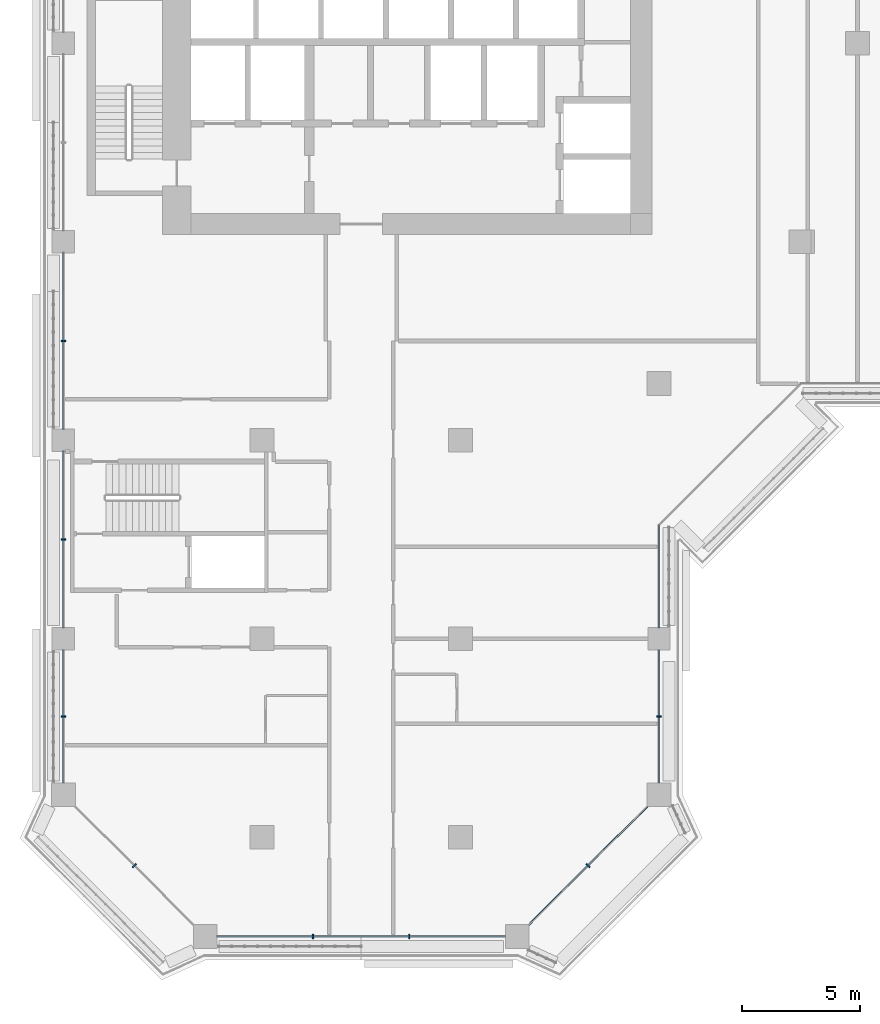
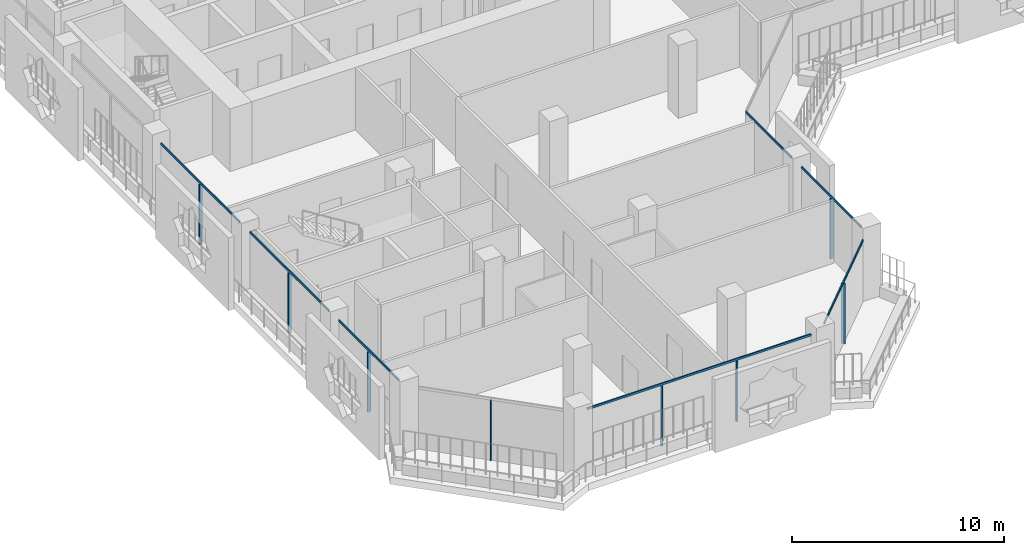
# One storey, part 2 of 22: 15 members, 5 elements without a shape of their own.
"""IFC4 building model written with IfcOpenShell, lengths in metres."""

from ifc_helpers import new_model, si_unit, direction, frame, origin, origin_2d, place, context, subcontext, project, spatial, rectangle, extrude, material, layer, layer_set, material_profile, profile_set, type_object, element, aggregate, save


model = new_model("IFC4")

# Units and contexts
model_context = context("Model", 3, precision=1e-05, world=origin(), true_north=direction((0.0, 1.0)))
body_context = subcontext(model_context, "Body", "Model", "MODEL_VIEW")
ifc_project = project(units=[si_unit("LENGTHUNIT", "METRE"), si_unit("AREAUNIT", "SQUARE_METRE"), si_unit("VOLUMEUNIT", "CUBIC_METRE"), si_unit("PLANEANGLEUNIT", "RADIAN"), si_unit("MASSUNIT", "GRAM", prefix="KILO")], contexts=[model_context])

# Site, building, storey
site_placement = place(None, origin())
site = spatial("IfcSite", under=ifc_project, at=site_placement, CompositionType="ELEMENT")
building_placement = place(site_placement, origin())
building = spatial("IfcBuilding", under=site, at=building_placement, Name="Kawkab Arch Medical Tower", CompositionType="ELEMENT")
storey_placement = place(building_placement, frame((0.0, 0.0, 196.199951171875)))
storey = spatial("IfcBuildingStorey", under=building, at=storey_placement, Name="L45", CompositionType="ELEMENT", Elevation=196.199951171875)

# Curtain wall, members
ifc_material_1 = material(Name="Bronze anodised aluminium curtain wall frame", Category="aluminium")
ifc_layer_1 = layer(ifc_material_1, 0.159912109375)
ifc_layer_set_1 = layer_set([ifc_layer_1], Name="Bronze anodised aluminium curtain wall frame")
curtain_wall_type_1 = type_object("IfcCurtainWallType", Name="CW1 ward curtain wall", PredefinedType="NOTDEFINED", material=ifc_layer_set_1)
placement = place(storey_placement, origin())
curtain_wall_1 = element("IfcCurtainWall", 1, at=placement, inside=storey, type_object=curtain_wall_type_1, Name="CW1 Ward curtain wall R01", PredefinedType="NOTDEFINED")
ifc_material_2 = material(Name="Bronze anodised aluminium curtain wall frame", Category="aluminium")
ifc_material_profile_1 = material_profile(ifc_material_2, rectangle(XDim=0.179931640625, YDim=0.06005859375, at=origin_2d()), Name="AL 60x180")
ifc_profile_set_1 = profile_set([ifc_material_profile_1], Name="Bronze anodised aluminium curtain wall frame")
member_type_1 = type_object("IfcMemberType", Name="CW1 mullion 60 x 180", PredefinedType="MULLION", material=ifc_profile_set_1)
member_1_placement = place(storey_placement, frame((0.0, -29.39990234375, 0.0), z_axis=(0.0, 0.0, 1.0), x_axis=(1.0, 0.0, 0.0)))
member_1 = element("IfcMember", 2, at=member_1_placement, type_object=member_type_1, Name="CW1 mullion 3.1", PredefinedType="MULLION", context=body_context, shape_type="SweptSolid", body=[
    extrude(rectangle(XDim=0.179931640625, YDim=0.06005859375, at=origin_2d()), origin(), (0.0, 0.0, 1.0), 3.47998046875),
])
member_2_placement = place(storey_placement, frame((0.0, -37.800048828125, 0.0), z_axis=(0.0, 0.0, 1.0), x_axis=(1.0, 0.0, 0.0)))
member_2 = element("IfcMember", 3, at=member_2_placement, type_object=member_type_1, Name="CW1 mullion 4.1", PredefinedType="MULLION", context=body_context, shape_type="SweptSolid", body=[
    extrude(rectangle(XDim=0.179931640625, YDim=0.06005859375, at=origin_2d()), origin(), (0.0, 0.0, 1.0), 3.47998046875),
])
member_3_placement = place(storey_placement, frame((0.0, -45.28759765625, 0.0), z_axis=(0.0, 0.0, 1.0), x_axis=(1.0, 0.0, 0.0)))
member_3 = element("IfcMember", 4, at=member_3_placement, type_object=member_type_1, Name="CW1 mullion 5.1", PredefinedType="MULLION", context=body_context, shape_type="SweptSolid", body=[
    extrude(rectangle(XDim=0.179931640625, YDim=0.06005859375, at=origin_2d()), origin(), (0.0, 0.0, 1.0), 3.47998046875),
])

curtain_wall_2 = element("IfcCurtainWall", 5, at=placement, inside=storey, type_object=curtain_wall_type_1, Name="CW1 Ward curtain wall R03", PredefinedType="NOTDEFINED")
member_4_placement = place(storey_placement, frame((10.566650390625, -54.60009765625, 0.0), z_axis=(0.0, 0.0, 1.0), x_axis=(0.0, 1.0, 0.0)))
member_4 = element("IfcMember", 6, at=member_4_placement, type_object=member_type_1, Name="CW1 mullion 1.1", PredefinedType="MULLION", context=body_context, shape_type="SweptSolid", body=[
    extrude(rectangle(XDim=0.179931640625, YDim=0.06005859375, at=origin_2d()), origin(), (0.0, 0.0, 1.0), 3.47998046875),
])
member_5_placement = place(storey_placement, frame((14.63330078125, -54.60009765625, 0.0), z_axis=(0.0, 0.0, 1.0), x_axis=(0.0, 1.0, 0.0)))
member_5 = element("IfcMember", 7, at=member_5_placement, type_object=member_type_1, Name="CW1 mullion 1.2", PredefinedType="MULLION", context=body_context, shape_type="SweptSolid", body=[
    extrude(rectangle(XDim=0.179931640625, YDim=0.06005859375, at=origin_2d()), origin(), (0.0, 0.0, 1.0), 3.47998046875),
])

# Curtain wall, member
curtain_wall_3 = element("IfcCurtainWall", 8, at=placement, inside=storey, type_object=curtain_wall_type_1, Name="CW1 Ward curtain wall R05", PredefinedType="NOTDEFINED")
member_6_placement = place(storey_placement, frame((25.199951171875, -45.28759765625, 0.0), z_axis=(0.0, 0.0, 1.0), x_axis=(-1.0, 0.0, 0.0)))
member_6 = element("IfcMember", 9, at=member_6_placement, type_object=member_type_1, Name="CW1 mullion 1.1", PredefinedType="MULLION", context=body_context, shape_type="SweptSolid", body=[
    extrude(rectangle(XDim=0.179931640625, YDim=0.06005859375, at=origin_2d()), origin(), (0.0, 0.0, 1.0), 3.47998046875),
])

# Member
ifc_material_3 = material(Name="Bronze anodised aluminium curtain wall frame", Category="aluminium")
ifc_material_profile_2 = material_profile(ifc_material_3, rectangle(XDim=0.06005859375, YDim=0.1201171875, at=origin_2d()), Name="AL 60x120")
ifc_profile_set_2 = profile_set([ifc_material_profile_2], Name="Bronze anodised aluminium curtain wall frame")
member_type_2 = type_object("IfcMemberType", Name="CW1 transom 120 x 60", PredefinedType="USERDEFINED", material=ifc_profile_set_2)
member_7_placement = place(storey_placement, frame((0.0, -25.675048828125, 3.5400390625), z_axis=(0.0, -1.0, 0.0), x_axis=(1.0, 0.0, 0.0)))
member_7 = element("IfcMember", 10, at=member_7_placement, type_object=member_type_2, Name="CW1 transom 3", ObjectType="TRANSOM", PredefinedType="USERDEFINED", context=body_context, shape_type="SweptSolid", body=[
    extrude(rectangle(XDim=0.06005859375, YDim=0.1201171875, at=origin_2d()), origin(), (0.0, 0.0, 1.0), 7.449951171875),
])

member_8_placement = place(storey_placement, frame((0.0, -34.074951171875, 3.5400390625), z_axis=(0.0, -1.0, 0.0), x_axis=(1.0, 0.0, 0.0)))
member_8 = element("IfcMember", 11, at=member_8_placement, type_object=member_type_2, Name="CW1 transom 4", ObjectType="TRANSOM", PredefinedType="USERDEFINED", context=body_context, shape_type="SweptSolid", body=[
    extrude(rectangle(XDim=0.06005859375, YDim=0.1201171875, at=origin_2d()), origin(), (0.0, 0.0, 1.0), 7.449951171875),
])

member_9_placement = place(storey_placement, frame((0.0, -42.47509765625, 3.5400390625), z_axis=(0.0, -1.0, 0.0), x_axis=(1.0, 0.0, 0.0)))
member_9 = element("IfcMember", 12, at=member_9_placement, type_object=member_type_2, Name="CW1 transom 5", ObjectType="TRANSOM", PredefinedType="USERDEFINED", context=body_context, shape_type="SweptSolid", body=[
    extrude(rectangle(XDim=0.06005859375, YDim=0.1201171875, at=origin_2d()), origin(), (0.0, 0.0, 1.0), 5.625),
])

aggregate(curtain_wall_1, [member_7, member_1, member_8, member_2, member_9, member_3])

member_10_placement = place(storey_placement, frame((6.5, -54.60009765625, 3.5400390625), z_axis=(1.0, 0.0, 0.0), x_axis=(0.0, 1.0, 0.0)))
member_10 = element("IfcMember", 13, at=member_10_placement, type_object=member_type_2, Name="CW1 transom 1", ObjectType="TRANSOM", PredefinedType="USERDEFINED", context=body_context, shape_type="SweptSolid", body=[
    extrude(rectangle(XDim=0.06005859375, YDim=0.1201171875, at=origin_2d()), origin(), (0.0, 0.0, 1.0), 12.199951171875),
])

aggregate(curtain_wall_2, [member_10, member_4, member_5])

member_11_placement = place(storey_placement, frame((25.199951171875, -48.10009765625, 3.5400390625), z_axis=(0.0, 1.0, 0.0), x_axis=(-1.0, 0.0, 0.0)))
member_11 = element("IfcMember", 14, at=member_11_placement, type_object=member_type_2, Name="CW1 transom 1", ObjectType="TRANSOM", PredefinedType="USERDEFINED", context=body_context, shape_type="SweptSolid", body=[
    extrude(rectangle(XDim=0.06005859375, YDim=0.1201171875, at=origin_2d()), origin(), (0.0, 0.0, 1.0), 5.625),
])

member_12_placement = place(storey_placement, frame((25.199951171875, -41.52490234375, 3.5400390625), z_axis=(0.0, 1.0, 0.0), x_axis=(-1.0, 0.0, 0.0)))
member_12 = element("IfcMember", 15, at=member_12_placement, type_object=member_type_2, Name="CW1 transom 2", ObjectType="TRANSOM", PredefinedType="USERDEFINED", context=body_context, shape_type="SweptSolid", body=[
    extrude(rectangle(XDim=0.06005859375, YDim=0.1201171875, at=origin_2d()), origin(), (0.0, 0.0, 1.0), 4.324951171875),
])

aggregate(curtain_wall_3, [member_11, member_6, member_12])

# Curtain wall, member
ifc_material_4 = material(Name="Bronze anodised aluminium curtain wall frame", Category="aluminium")
ifc_layer_2 = layer(ifc_material_4, 0.159912109375)
ifc_layer_set_2 = layer_set([ifc_layer_2], Name="Bronze anodised aluminium curtain wall frame")
curtain_wall_type_2 = type_object("IfcCurtainWallType", Name="CW2 chamfer curtain wall", PredefinedType="NOTDEFINED", material=ifc_layer_set_2)
curtain_wall_4 = element("IfcCurtainWall", 16, at=placement, inside=storey, type_object=curtain_wall_type_2, Name="CW2 Chamfer curtain wall R02", PredefinedType="NOTDEFINED")
ifc_material_5 = material(Name="Bronze anodised aluminium curtain wall frame", Category="aluminium")
ifc_material_profile_3 = material_profile(ifc_material_5, rectangle(XDim=0.199951171875, YDim=0.06005859375, at=origin_2d()), Name="AL 60x200")
ifc_profile_set_3 = profile_set([ifc_material_profile_3], Name="Bronze anodised aluminium curtain wall frame")
member_type_3 = type_object("IfcMemberType", Name="CW2 mullion 60 x 200", PredefinedType="MULLION", material=ifc_profile_set_3)
member_13_placement = place(storey_placement, frame((3.0, -51.60009765625, 0.0), z_axis=(0.0, 0.0, 1.0), x_axis=(0.707106781187, 0.707106781187, 0.0)))
member_13 = element("IfcMember", 17, at=member_13_placement, type_object=member_type_3, Name="CW2 mullion 1.1", PredefinedType="MULLION", context=body_context, shape_type="SweptSolid", body=[
    extrude(rectangle(XDim=0.199951171875, YDim=0.06005859375, at=origin_2d()), origin(), (0.0, 0.0, 1.0), 3.4599609375),
])
aggregate(curtain_wall_4, [member_13])

# Curtain wall, members
curtain_wall_5 = element("IfcCurtainWall", 18, at=placement, inside=storey, type_object=curtain_wall_type_2, Name="CW2 Chamfer curtain wall R04", PredefinedType="NOTDEFINED")
member_14_placement = place(storey_placement, frame((22.199951171875, -51.60009765625, 0.0), z_axis=(0.0, 0.0, 1.0), x_axis=(-0.707106781187, 0.707106781187, 0.0)))
member_14 = element("IfcMember", 19, at=member_14_placement, type_object=member_type_3, Name="CW2 mullion 1.1", PredefinedType="MULLION", context=body_context, shape_type="SweptSolid", body=[
    extrude(rectangle(XDim=0.199951171875, YDim=0.06005859375, at=origin_2d()), origin(), (0.0, 0.0, 1.0), 3.4599609375),
])
ifc_material_6 = material(Name="Bronze anodised aluminium curtain wall frame", Category="aluminium")
ifc_material_profile_4 = material_profile(ifc_material_6, rectangle(XDim=0.06005859375, YDim=0.139892578125, at=origin_2d()), Name="AL 60x140")
ifc_profile_set_4 = profile_set([ifc_material_profile_4], Name="Bronze anodised aluminium curtain wall frame")
member_type_4 = type_object("IfcMemberType", Name="CW2 transom 140 x 60", PredefinedType="USERDEFINED", material=ifc_profile_set_4)
member_15_placement = place(storey_placement, frame((19.699951171875, -54.10009765625, 3.530029296875), z_axis=(0.707106781187, 0.707106781187, 0.0), x_axis=(-0.707106781187, 0.707106781187, 0.0)))
member_15 = element("IfcMember", 20, at=member_15_placement, type_object=member_type_4, Name="CW2 transom 1", ObjectType="TRANSOM", PredefinedType="USERDEFINED", context=body_context, shape_type="SweptSolid", body=[
    extrude(rectangle(XDim=0.06005859375, YDim=0.139892578125, at=origin_2d()), origin(), (0.0, 0.0, 1.0), 7.071044921875),
])
aggregate(curtain_wall_5, [member_15, member_14])

save(model, "model.ifc")
